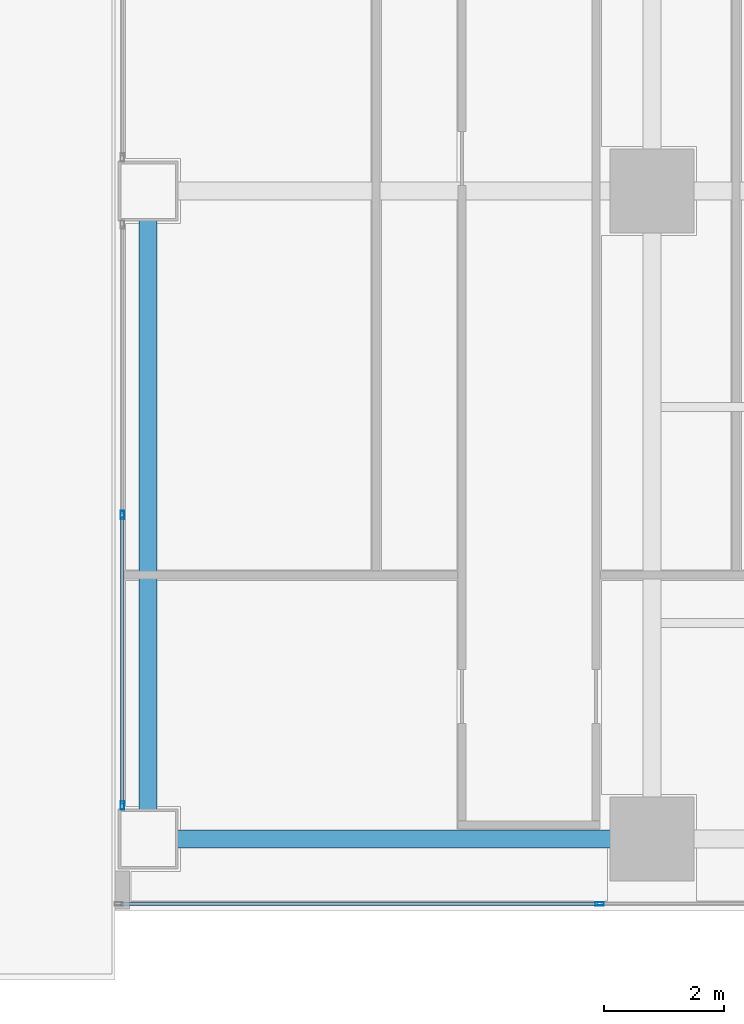
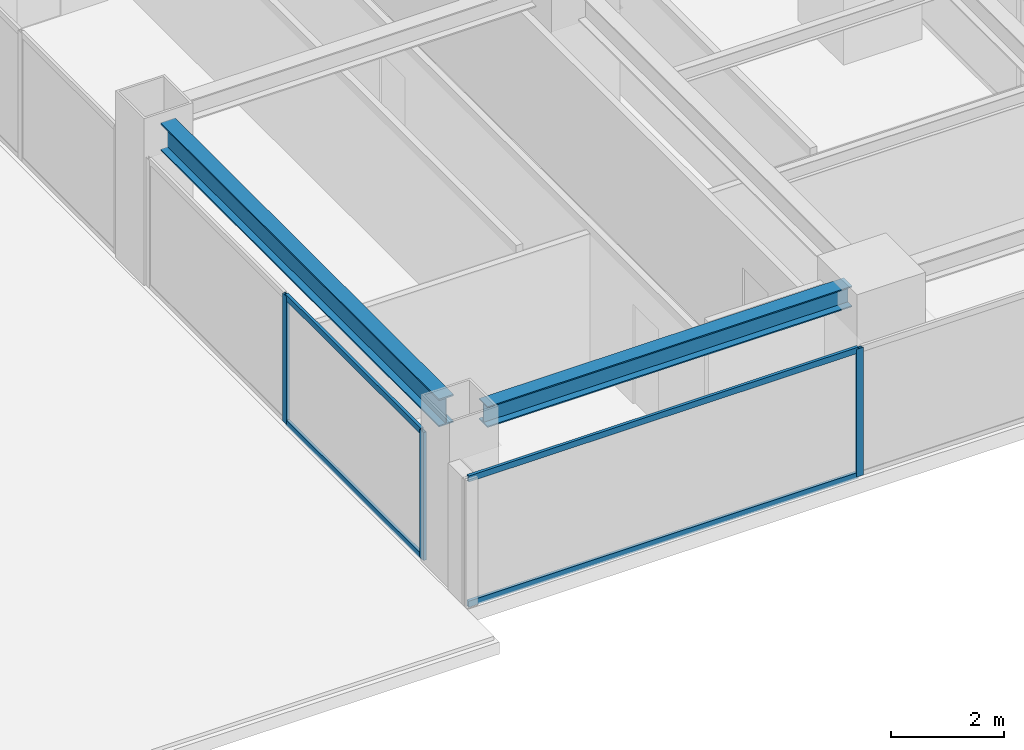
# One storey, part 12 of 30: 7 members, 2 beams, 2 elements without a shape of their own.
"""IFC4 building model written with IfcOpenShell, lengths in metres."""

import ifcopenshell
import ifcopenshell.guid

model = None  # the IFC model being written
_history = None  # IfcOwnerHistory: only IFC2X3 demands one
_inside = {}  # id of a spatial element -> (the spatial element, [elements in it])
_under = {}  # id of a project, library or spatial element -> (it, [spatial elements below it])
_declared = {}  # id of a project -> (the project, [libraries it declares])
_typed = {}  # id of a type object -> (the type object, [elements of that type])
_made_of = {}  # id of a material, layer set ... -> (it, [elements and type objects made of it])


def new_model(schema):
    """Start an empty IFC model of exactly this schema.

    Asked for "IFC4X3", IfcOpenShell would pick the latest addendum, in which some entities
    have other attributes; the version numbers below select the first issue.
    IFC2X3 requires an IfcOwnerHistory on every rooted entity: one is made here for all.
    """
    global model, _history
    if schema == "IFC4X3":
        model = ifcopenshell.file(schema_version=(4, 3, 0, 0))
    else:
        model = ifcopenshell.file(schema=schema)
    _inside.clear()
    _under.clear()
    _declared.clear()
    _typed.clear()
    _made_of.clear()
    _history = None
    if model.schema == "IFC2X3":
        org = make("IfcOrganization", Name="unknown")
        user = make(
            "IfcPersonAndOrganization",
            ThePerson=make("IfcPerson", FamilyName="unknown"),
            TheOrganization=org,
        )
        app = make(
            "IfcApplication",
            ApplicationDeveloper=org,
            Version="unknown",
            ApplicationFullName="unknown",
            ApplicationIdentifier="unknown",
        )
        _history = make(
            "IfcOwnerHistory",
            OwningUser=user,
            OwningApplication=app,
            ChangeAction="ADDED",
            CreationDate=0,
        )
    return model


def make(cls, **values):
    """One entity of the class cls with the attributes given. An attribute that is None is left unset."""
    return model.create_entity(
        cls, **{name: value for name, value in values.items() if value is not None}
    )


def rooted(cls, **values):
    """An entity with a GlobalId (a new one), such as an element, a storey or a relation."""
    return make(cls, GlobalId=ifcopenshell.guid.new(), OwnerHistory=_history, **values)


def si_unit(unit_type, name, prefix=None):
    """IfcSIUnit, for example si_unit("LENGTHUNIT", "METRE", prefix="MILLI")."""
    return make("IfcSIUnit", UnitType=unit_type, Prefix=prefix, Name=name)


def assignment(units):
    """IfcUnitAssignment: the units of a project."""
    return None if units is None else make("IfcUnitAssignment", Units=units)


def point(xyz):
    """IfcCartesianPoint."""
    return None if xyz is None else make("IfcCartesianPoint", Coordinates=xyz)


def direction(xyz):
    """IfcDirection."""
    return None if xyz is None else make("IfcDirection", DirectionRatios=xyz)


def frame(location, z_axis=None, x_axis=None):
    """IfcAxis2Placement3D, a coordinate frame: its origin and axes. An axis left out is left unset."""
    return make(
        "IfcAxis2Placement3D",
        Location=point(location),
        Axis=direction(z_axis),
        RefDirection=direction(x_axis),
    )


def frame_2d(location, x_axis=None):
    """IfcAxis2Placement2D, a coordinate frame in the plane: its origin and x axis."""
    return make(
        "IfcAxis2Placement2D", Location=point(location), RefDirection=direction(x_axis)
    )


def origin():
    """The frame at (0, 0, 0) with its axes left unset."""
    return frame((0.0, 0.0, 0.0))


def origin_2d():
    """The frame at (0, 0) in the plane with its x axis left unset."""
    return frame_2d((0.0, 0.0))


def place(relative_to, where):
    """IfcLocalPlacement: puts the frame where relative to a parent placement (None: the world)."""
    return make(
        "IfcLocalPlacement", PlacementRelTo=relative_to, RelativePlacement=where
    )


def context(
    kind, dimensions, precision=None, world=None, true_north=None, identifier=None
):
    """IfcGeometricRepresentationContext, for example the 3D "Model" context."""
    return make(
        "IfcGeometricRepresentationContext",
        ContextIdentifier=identifier,
        ContextType=kind,
        CoordinateSpaceDimension=dimensions,
        Precision=precision,
        WorldCoordinateSystem=world,
        TrueNorth=true_north,
    )


def subcontext(parent, identifier, kind, view, scale=None):
    """IfcGeometricRepresentationSubContext, for example "Body" below "Model"."""
    return make(
        "IfcGeometricRepresentationSubContext",
        ContextIdentifier=identifier,
        ContextType=kind,
        ParentContext=parent,
        TargetScale=scale,
        TargetView=view,
    )


def project(units=None, contexts=None):
    """IfcProject with its units and contexts."""
    return rooted(
        "IfcProject",
        Name="project",
        RepresentationContexts=contexts,
        UnitsInContext=assignment(units),
    )


def spatial(cls, under=None, at=None, **own):
    """A site, building, storey or space (cls), placed at a placement, below another one or the project."""
    s = rooted(cls, ObjectPlacement=at, **own)
    if under is not None:
        _under.setdefault(under.id(), (under, []))[1].append(s)
    return s


def profile(cls, at=None, kind="AREA", **sizes):
    """A parametric profile (cls). Its sizes go by their IFC names, for example OverallWidth=200.0."""
    return make(cls, ProfileType=kind, Position=at, **sizes)


def hollow_rectangle(**sizes):
    """IfcRectangleHollowProfileDef."""
    return profile("IfcRectangleHollowProfileDef", **sizes)


def i_section(**sizes):
    """IfcIShapeProfileDef."""
    return profile("IfcIShapeProfileDef", **sizes)


def extrude(swept, where, along, depth):
    """IfcExtrudedAreaSolid: the profile swept, set in the frame where, extruded along a direction by depth."""
    return make(
        "IfcExtrudedAreaSolid",
        SweptArea=swept,
        Position=where,
        ExtrudedDirection=direction(along),
        Depth=depth,
    )


def shape(context_of_items, identifier, shape_type, items):
    """IfcShapeRepresentation: the items that make up one representation, for example the "Body"."""
    return make(
        "IfcShapeRepresentation",
        ContextOfItems=context_of_items,
        RepresentationIdentifier=identifier,
        RepresentationType=shape_type,
        Items=items,
    )


def source(mapping_origin, context_of_items, identifier, shape_type, items):
    """IfcRepresentationMap: a shape defined once, which mapped items show again and again."""
    return make(
        "IfcRepresentationMap",
        MappingOrigin=mapping_origin,
        MappedRepresentation=shape(context_of_items, identifier, shape_type, items),
    )


def transform(
    local_origin,
    x_axis=None,
    y_axis=None,
    z_axis=None,
    scale=None,
    scale2=None,
    scale3=None,
    uniform=True,
):
    """IfcCartesianTransformationOperator3D, or its non-uniform kind. x_axis, y_axis, z_axis: its Axis1, 2, 3."""
    if uniform:
        return make(
            "IfcCartesianTransformationOperator3D",
            Axis1=direction(x_axis),
            Axis2=direction(y_axis),
            LocalOrigin=point(local_origin),
            Scale=scale,
            Axis3=direction(z_axis),
        )
    return make(
        "IfcCartesianTransformationOperator3DnonUniform",
        Axis1=direction(x_axis),
        Axis2=direction(y_axis),
        LocalOrigin=point(local_origin),
        Scale=scale,
        Axis3=direction(z_axis),
        Scale2=scale2,
        Scale3=scale3,
    )


def mapped(mapping_source, mapping_target):
    """IfcMappedItem: shows the shape of a source again, moved by a transform."""
    return make(
        "IfcMappedItem", MappingSource=mapping_source, MappingTarget=mapping_target
    )


def material(Name=None, Category=None):
    """IfcMaterial."""
    return make("IfcMaterial", Name=Name, Category=Category)


def layer(
    of_material, thickness, ventilated=None, Name=None, Category=None, Priority=None
):
    """IfcMaterialLayer: one layer of a wall or slab, of a material (None: an air gap)."""
    return make(
        "IfcMaterialLayer",
        Material=of_material,
        LayerThickness=thickness,
        IsVentilated=ventilated,
        Name=Name,
        Category=Category,
        Priority=Priority,
    )


def layer_set(layers, Name=None):
    """IfcMaterialLayerSet."""
    return make("IfcMaterialLayerSet", MaterialLayers=layers, LayerSetName=Name)


def material_profile(
    of_material, cross_section, Name=None, Category=None, Priority=None
):
    """IfcMaterialProfile: a cross section and its material."""
    return make(
        "IfcMaterialProfile",
        Name=Name,
        Material=of_material,
        Profile=cross_section,
        Priority=Priority,
        Category=Category,
    )


def profile_set(profiles, Name=None, composite=None):
    """IfcMaterialProfileSet."""
    return make(
        "IfcMaterialProfileSet",
        Name=Name,
        MaterialProfiles=profiles,
        CompositeProfile=composite,
    )


def made_of(thing, what):
    """Note that an element or type object is made of a material, layer set ...; save() writes the relation."""
    if what is not None:
        _made_of.setdefault(what.id(), (what, []))[1].append(thing)
    return thing


def type_object(cls, material=None, **own):
    """A type object (cls), such as IfcWallType, which elements share."""
    return made_of(rooted(cls, **own), material)


def element(
    cls,
    number,
    at=None,
    inside=None,
    cuts=None,
    type_object=None,
    material=None,
    context=None,
    identifier="Body",
    shape_type=None,
    held_by="IfcProductDefinitionShape",
    body=None,
    shapes=None,
    **own,
):
    """One element of the class cls, such as IfcWall. Its Tag is "e" and its number.

    at: its placement. inside: the storey or other place that contains it. cuts: it is an
    opening in that element (IfcRelVoidsElement). A single representation is given by context,
    identifier, shape_type and body (its items); several are given by shapes. held_by: the class
    of the entity that holds the representations. save() writes the other relations.
    """
    e = rooted(cls, Tag="e%d" % number, ObjectPlacement=at, **own)
    if body is not None:
        shapes = [shape(context, identifier, shape_type, body)]
    if shapes is not None:
        e.Representation = make(held_by, Representations=shapes)
    if inside is not None:
        _inside.setdefault(inside.id(), (inside, []))[1].append(e)
    if cuts is not None:
        rooted(
            "IfcRelVoidsElement", RelatingBuildingElement=cuts, RelatedOpeningElement=e
        )
    if type_object is not None:
        _typed.setdefault(type_object.id(), (type_object, []))[1].append(e)
    return made_of(e, material)


def aggregate(whole, parts):
    """IfcRelAggregates: a whole, such as a stair, and the parts it consists of."""
    return rooted("IfcRelAggregates", RelatingObject=whole, RelatedObjects=parts)


def save(model, path):
    """Write the relations noted so far, then the file.

    IfcRelAggregates (storeys below a building ...), IfcRelContainedInSpatialStructure (elements
    in a storey), IfcRelDefinesByType, IfcRelAssociatesMaterial and IfcRelDeclares: one each for
    every whole, place, type object, material and project.
    """
    for whole, parts in _under.values():
        aggregate(whole, parts)
    for where, things in _inside.values():
        rooted(
            "IfcRelContainedInSpatialStructure",
            RelatedElements=things,
            RelatingStructure=where,
        )
    for kind, things in _typed.values():
        rooted("IfcRelDefinesByType", RelatedObjects=things, RelatingType=kind)
    for what, things in _made_of.values():
        rooted("IfcRelAssociatesMaterial", RelatedObjects=things, RelatingMaterial=what)
    for by, libraries in _declared.values():
        rooted("IfcRelDeclares", RelatingContext=by, RelatedDefinitions=libraries)
    model.write(path)


model = new_model("IFC4")

# Units and contexts
model_context = context("Model", 3, precision=1e-05, world=origin(), true_north=direction((0.0, 1.0)))
body_context = subcontext(model_context, "Body", "Model", "MODEL_VIEW")
ifc_project = project(units=[si_unit("LENGTHUNIT", "METRE"), si_unit("AREAUNIT", "SQUARE_METRE"), si_unit("VOLUMEUNIT", "CUBIC_METRE"), si_unit("PLANEANGLEUNIT", "RADIAN"), si_unit("MASSUNIT", "GRAM", prefix="KILO")], contexts=[model_context])

# Site, building, storey
site_placement = place(None, origin())
site = spatial("IfcSite", under=ifc_project, at=site_placement, CompositionType="ELEMENT")
building_placement = place(site_placement, origin())
building = spatial("IfcBuilding", under=site, at=building_placement, Name="Sumidabori Civic Tower", CompositionType="ELEMENT")
storey_placement = place(building_placement, frame((0.0, 0.0, 196.39990234375)))
storey = spatial("IfcBuildingStorey", under=building, at=storey_placement, Name="L50", CompositionType="ELEMENT", Elevation=196.39990234375)

# Beams
ifc_material_1 = material(Name="Steel SN490", Category="steel")
ifc_material_profile_1 = material_profile(ifc_material_1, i_section(OverallWidth=0.300048828125, OverallDepth=0.60009765625, WebThickness=0.015380859375, FlangeThickness=0.030029296875, at=origin_2d()), Name="HE 600 B")
ifc_profile_set_1 = profile_set([ifc_material_profile_1], Name="Steel SN490")
beam_type_1 = type_object("IfcBeamType", Name="BM-GIRD-600", PredefinedType="BEAM", material=ifc_profile_set_1)
shared_shape_1 = source(origin(), body_context, "Body", "SweptSolid", [
    extrude(i_section(OverallWidth=0.300048828125, OverallDepth=0.60009765625, WebThickness=0.015380859375, FlangeThickness=0.030029296875, at=origin_2d()), origin(), (0.0, 0.0, 1.0), 9.840087890625),
])
beam_1_placement = place(storey_placement, frame((8.39990234375, -10.320068359375, 3.080078125), z_axis=(0.0, 1.0, 0.0), x_axis=(-1.0, 0.0, 0.0)))
element("IfcBeam", 1, at=beam_1_placement, inside=storey, type_object=beam_type_1, Name="Primary Girder L50 GY-18", PredefinedType="BEAM", context=body_context, shape_type="MappedRepresentation", body=[
    mapped(shared_shape_1, transform((0.0, 0.0, 0.0), x_axis=(1.0, 0.0, 0.0), y_axis=(0.0, 1.0, 0.0), z_axis=(0.0, 0.0, 1.0), scale=1.0)),
])
ifc_material_profile_2 = material_profile(ifc_material_1, i_section(OverallWidth=0.300048828125, OverallDepth=0.449951171875, WebThickness=0.013916015625, FlangeThickness=0.02587890625, at=origin_2d()), Name="HE 450 B")
ifc_profile_set_2 = profile_set([ifc_material_profile_2], Name="Steel SN490")
beam_type_2 = type_object("IfcBeamType", Name="BM-GIRD-450", PredefinedType="BEAM", material=ifc_profile_set_2)
shared_shape_2 = source(origin(), body_context, "Body", "SweptSolid", [
    extrude(i_section(OverallWidth=0.300048828125, OverallDepth=0.449951171875, WebThickness=0.013916015625, FlangeThickness=0.02587890625, at=origin_2d()), origin(), (0.0, 0.0, 1.0), 7.440185546875),
])
beam_2_placement = place(storey_placement, frame((8.8798828125, -10.800048828125, 3.155029296875), z_axis=(1.0, 0.0, 0.0), x_axis=(0.0, 1.0, 0.0)))
element("IfcBeam", 2, at=beam_2_placement, inside=storey, type_object=beam_type_2, Name="Primary Girder L50 GX-03", PredefinedType="BEAM", context=body_context, shape_type="MappedRepresentation", body=[
    mapped(shared_shape_2, transform((0.0, 0.0, 0.0), x_axis=(1.0, 0.0, 0.0), y_axis=(0.0, 1.0, 0.0), z_axis=(0.0, 0.0, 1.0), scale=1.0)),
])

# Curtain wall, members
ifc_material_2 = material(Name="Anodised Bronze Aluminium AW-6063-T6", Category="aluminium")
ifc_layer_1 = layer(ifc_material_2, 0.179931640625, Name="Anodised Bronze Aluminium AW-6063-T6")
ifc_layer_set_1 = layer_set([ifc_layer_1], Name="Anodised Bronze Aluminium AW-6063-T6")
curtain_wall_type_1 = type_object("IfcCurtainWallType", Name="CW-SYS-4", PredefinedType="NOTDEFINED", material=ifc_layer_set_1)
curtain_wall_1_placement = place(storey_placement, origin())
curtain_wall_1 = element("IfcCurtainWall", 3, at=curtain_wall_1_placement, inside=storey, type_object=curtain_wall_type_1, Name="Curtain Wall CW:L50:R07", PredefinedType="NOTDEFINED")
ifc_material_profile_3 = material_profile(ifc_material_2, hollow_rectangle(XDim=0.06005859375, YDim=0.139892578125, WallThickness=0.0048828125, at=origin_2d()), Name="ALU MULLION 140x60")
ifc_profile_set_3 = profile_set([ifc_material_profile_3], Name="Anodised Bronze Aluminium AW-6063-T6")
member_type_1 = type_object("IfcMemberType", Name="CW-MUL-140", PredefinedType="MULLION", material=ifc_profile_set_3)
shared_shape_3 = source(origin(), body_context, "Body", "SweptSolid", [
    extrude(hollow_rectangle(XDim=0.06005859375, YDim=0.139892578125, WallThickness=0.0048828125, at=origin_2d()), origin(), (0.0, 0.0, 1.0), 2.760009765625),
])
member_1_placement = place(storey_placement, frame((7.969970703125, -5.39990234375, 0.0), z_axis=(0.0, 0.0, 1.0), x_axis=(1.0, 0.0, 0.0)))
member_1 = element("IfcMember", 4, at=member_1_placement, type_object=member_type_1, Name="CW-4 mullion 2", PredefinedType="MULLION", context=body_context, shape_type="MappedRepresentation", body=[
    mapped(shared_shape_3, transform((0.0, 0.0, 0.0), x_axis=(1.0, 0.0, 0.0), y_axis=(0.0, 1.0, 0.0), z_axis=(0.0, 0.0, 1.0), scale=1.0)),
])
member_2_placement = place(storey_placement, frame((7.969970703125, -10.239990234375, 0.0), z_axis=(0.0, 0.0, 1.0), x_axis=(1.0, 0.0, 0.0)))
member_2 = element("IfcMember", 5, at=member_2_placement, type_object=member_type_1, Name="CW-4 mullion 3", PredefinedType="MULLION", context=body_context, shape_type="MappedRepresentation", body=[
    mapped(shared_shape_3, transform((0.0, 0.0, 0.0), x_axis=(1.0, 0.0, 0.0), y_axis=(0.0, 1.0, 0.0), z_axis=(0.0, 0.0, 1.0), scale=1.0)),
])

ifc_layer_2 = layer(ifc_material_2, 0.179931640625, Name="Anodised Bronze Aluminium AW-6063-T6")
ifc_layer_set_2 = layer_set([ifc_layer_2], Name="Anodised Bronze Aluminium AW-6063-T6")
curtain_wall_type_2 = type_object("IfcCurtainWallType", Name="CW-SYS-5", PredefinedType="NOTDEFINED", material=ifc_layer_set_2)
curtain_wall_2_placement = place(storey_placement, origin())
curtain_wall_2 = element("IfcCurtainWall", 6, at=curtain_wall_2_placement, inside=storey, type_object=curtain_wall_type_2, Name="Curtain Wall CW:L50:R09", PredefinedType="NOTDEFINED")
member_3_placement = place(storey_placement, frame((15.925048828125, -11.8798828125, 0.0), z_axis=(0.0, 0.0, 1.0), x_axis=(0.0, 1.0, 0.0)))
member_3 = element("IfcMember", 7, at=member_3_placement, type_object=member_type_1, Name="CW-5 mullion 2", PredefinedType="MULLION", context=body_context, shape_type="MappedRepresentation", body=[
    mapped(shared_shape_3, transform((0.0, 0.0, 0.0), x_axis=(1.0, 0.0, 0.0), y_axis=(0.0, 1.0, 0.0), z_axis=(0.0, 0.0, 1.0), scale=1.0)),
])
ifc_material_profile_4 = material_profile(ifc_material_2, hollow_rectangle(XDim=0.06005859375, YDim=0.1298828125, WallThickness=0.0048828125, at=origin_2d()), Name="ALU TRANSOM 130x60")
ifc_profile_set_4 = profile_set([ifc_material_profile_4], Name="Anodised Bronze Aluminium AW-6063-T6")
member_type_2 = type_object("IfcMemberType", Name="CW-TRN-130", PredefinedType="USERDEFINED", material=ifc_profile_set_4)
shared_shape_4 = source(origin(), body_context, "Body", "SweptSolid", [
    extrude(hollow_rectangle(XDim=0.06005859375, YDim=0.1298828125, WallThickness=0.0048828125, at=origin_2d()), origin(), (0.0, 0.0, 1.0), 7.955078125),
])
member_4_placement = place(storey_placement, frame((7.93994140625, -11.8798828125, 0.030029296875), z_axis=(1.0, 0.0, 0.0), x_axis=(0.0, 1.0, 0.0)))
member_4 = element("IfcMember", 8, at=member_4_placement, type_object=member_type_2, Name="CW-5 transom 1.1", ObjectType="TRANSOM", PredefinedType="USERDEFINED", context=body_context, shape_type="MappedRepresentation", body=[
    mapped(shared_shape_4, transform((0.0, 0.0, 0.0), x_axis=(1.0, 0.0, 0.0), y_axis=(0.0, 1.0, 0.0), z_axis=(0.0, 0.0, 1.0), scale=1.0)),
])
member_5_placement = place(storey_placement, frame((7.93994140625, -11.8798828125, 2.72998046875), z_axis=(1.0, 0.0, 0.0), x_axis=(0.0, 1.0, 0.0)))
member_5 = element("IfcMember", 9, at=member_5_placement, type_object=member_type_2, Name="CW-5 transom 1.2", ObjectType="TRANSOM", PredefinedType="USERDEFINED", context=body_context, shape_type="MappedRepresentation", body=[
    mapped(shared_shape_4, transform((0.0, 0.0, 0.0), x_axis=(1.0, 0.0, 0.0), y_axis=(0.0, 1.0, 0.0), z_axis=(0.0, 0.0, 1.0), scale=1.0)),
])
aggregate(curtain_wall_2, [member_3, member_4, member_5])

# Member
shared_shape_5 = source(origin(), body_context, "Body", "SweptSolid", [
    extrude(hollow_rectangle(XDim=0.06005859375, YDim=0.1298828125, WallThickness=0.0048828125, at=origin_2d()), origin(), (0.0, 0.0, 1.0), 4.780029296875),
])
member_6_placement = place(storey_placement, frame((7.969970703125, -5.429931640625, 0.030029296875), z_axis=(0.0, -1.0, 0.0), x_axis=(1.0, 0.0, 0.0)))
member_6 = element("IfcMember", 10, at=member_6_placement, type_object=member_type_2, Name="CW-4 transom 2.1", ObjectType="TRANSOM", PredefinedType="USERDEFINED", context=body_context, shape_type="MappedRepresentation", body=[
    mapped(shared_shape_5, transform((0.0, 0.0, 0.0), x_axis=(1.0, 0.0, 0.0), y_axis=(0.0, 1.0, 0.0), z_axis=(0.0, 0.0, 1.0), scale=1.0)),
])

member_7_placement = place(storey_placement, frame((7.969970703125, -5.429931640625, 2.72998046875), z_axis=(0.0, -1.0, 0.0), x_axis=(1.0, 0.0, 0.0)))
member_7 = element("IfcMember", 11, at=member_7_placement, type_object=member_type_2, Name="CW-4 transom 2.2", ObjectType="TRANSOM", PredefinedType="USERDEFINED", context=body_context, shape_type="MappedRepresentation", body=[
    mapped(shared_shape_5, transform((0.0, 0.0, 0.0), x_axis=(1.0, 0.0, 0.0), y_axis=(0.0, 1.0, 0.0), z_axis=(0.0, 0.0, 1.0), scale=1.0)),
])

aggregate(curtain_wall_1, [member_1, member_2, member_6, member_7])

save(model, "model.ifc")
